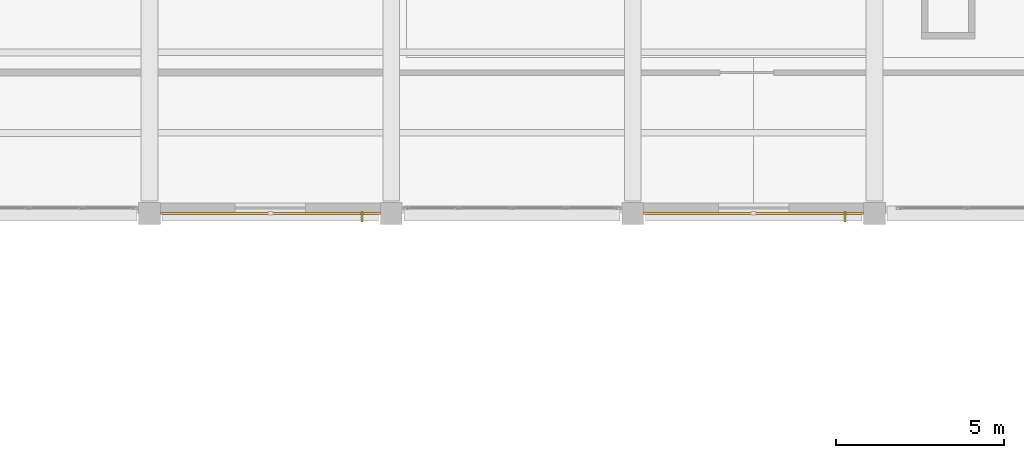
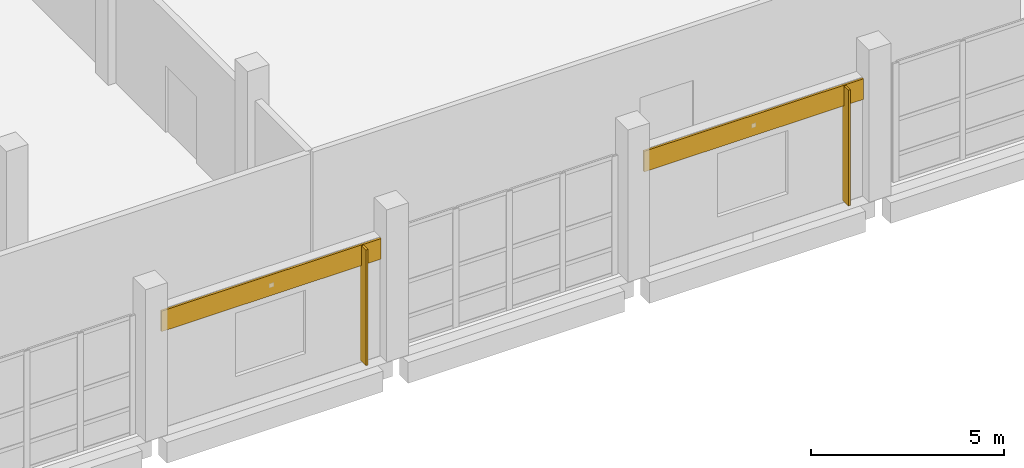
# One storey, part 116 of 127: 2 coverings, 2 shading devices.
"""IFC4 building model written with IfcOpenShell, lengths in metres."""

from ifc_helpers import new_model, si_unit, direction, frame, origin, origin_2d, place, context, subcontext, project, spatial, rectangle, extrude, material, layer, layer_set, type_object, element, save


model = new_model("IFC4")

# Units and contexts
model_context = context("Model", 3, precision=1e-05, world=origin(), true_north=direction((0.0, 1.0)))
body_context = subcontext(model_context, "Body", "Model", "MODEL_VIEW")
ifc_project = project(units=[si_unit("LENGTHUNIT", "METRE"), si_unit("AREAUNIT", "SQUARE_METRE"), si_unit("VOLUMEUNIT", "CUBIC_METRE"), si_unit("PLANEANGLEUNIT", "RADIAN"), si_unit("MASSUNIT", "GRAM", prefix="KILO")], contexts=[model_context])

# Site, building, storey
site_placement = place(None, origin())
site = spatial("IfcSite", under=ifc_project, at=site_placement, CompositionType="ELEMENT")
building_placement = place(site_placement, origin())
building = spatial("IfcBuilding", under=site, at=building_placement, Name="Kalmorath City Hall", CompositionType="ELEMENT")
storey_placement = place(building_placement, frame((0.0, 0.0, 5.39990234375)))
storey = spatial("IfcBuildingStorey", under=building, at=storey_placement, Name="L01", CompositionType="ELEMENT", Elevation=5.39990234375)

# Shading devices
ifc_material_1 = material(Name="Bronze anodised aluminium", Category="aluminium")
ifc_layer_1 = layer(ifc_material_1, 0.06005859375)
ifc_layer_set_1 = layer_set([ifc_layer_1], Name="Bronze anodised aluminium")
shading_device_type = type_object("IfcShadingDeviceType", Name="Bronze vertical solar fin 320", PredefinedType="USERDEFINED", material=ifc_layer_set_1)
for number, where, z_axis, x_axis, name in (
    (1, (56.72412109375, 93.5, 0.050048828125), (0.0, 0.0, 1.0), (-1.0, 0.0, 0.0), "L01 bronze solar fin #176"),
    (2, (42.323974609375, 93.5, 0.050048828125), (0.0, 0.0, 1.0), (-1.0, 0.0, 0.0), "L01 bronze solar fin #177"),
):
    element("IfcShadingDevice", number, at=place(storey_placement, frame(where, z_axis=z_axis, x_axis=x_axis)), inside=storey, type_object=shading_device_type, Name=name, ObjectType="FIN", PredefinedType="USERDEFINED", context=body_context, shape_type="SweptSolid", body=[
        extrude(rectangle(XDim=0.06005859375, YDim=0.320068359375, at=origin_2d()), origin(), (0.0, 0.0, 1.0), 3.65087890625),
    ])

# Coverings
ifc_material_2 = material(Name="Volcanic basalt stone cladding", Category="masonry")
ifc_layer_2 = layer(ifc_material_2, 0.06005859375)
ifc_layer_set_2 = layer_set([ifc_layer_2], Name="Volcanic basalt stone cladding")
covering_type = type_object("IfcCoveringType", Name="Volcanic basalt stone rainscreen cladding", PredefinedType="CLADDING", material=ifc_layer_set_2)
for number, where, z_axis, x_axis, name in (
    (3, (54.0, 93.594970703125, 3.076171875), (0.0, 0.0, 1.0), (-1.0, 0.0, 0.0), "L01 basalt spandrel cladding #37"),
    (4, (39.60009765625, 93.594970703125, 3.076171875), (0.0, 0.0, 1.0), (-1.0, 0.0, 0.0), "L01 basalt spandrel cladding #38"),
):
    element("IfcCovering", number, at=place(storey_placement, frame(where, z_axis=z_axis, x_axis=x_axis)), inside=storey, type_object=covering_type, Name=name, PredefinedType="CLADDING", context=body_context, shape_type="SweptSolid", body=[
        extrude(rectangle(XDim=6.548095703125, YDim=0.06005859375, at=origin_2d()), origin(), (0.0, 0.0, 1.0), 0.64990234375),
    ])

save(model, "model.ifc")
